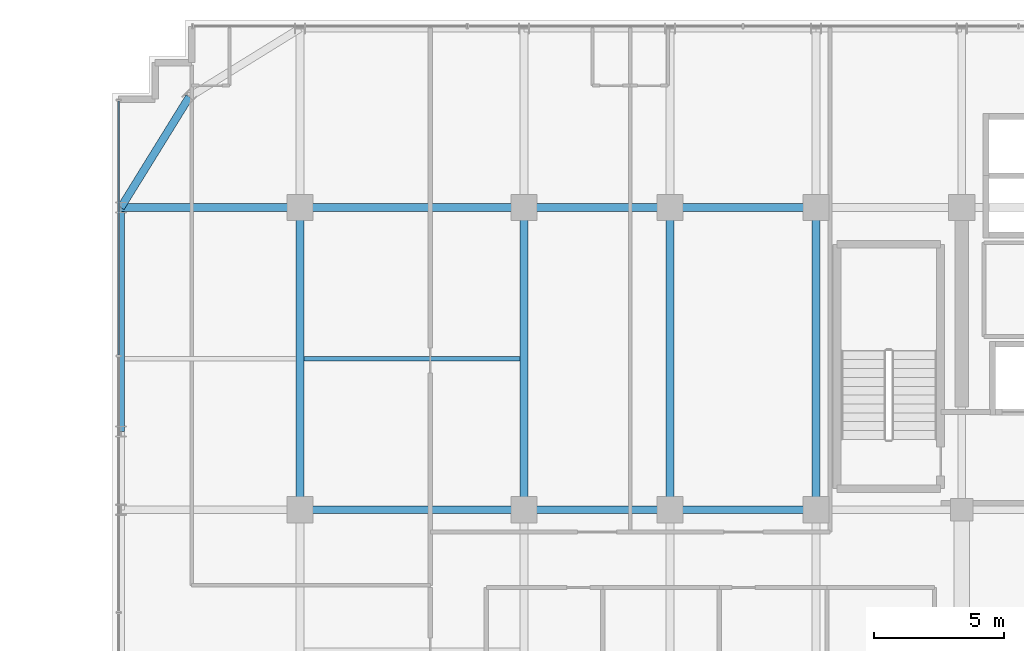
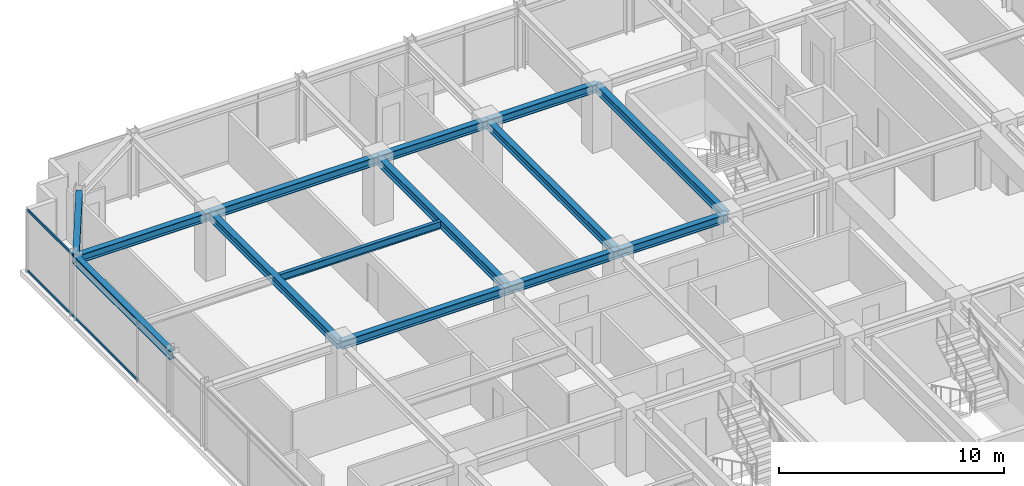
# One storey, part 19 of 35: 14 beams, 2 members, 1 element without a shape of its own.
"""IFC4 building model written with IfcOpenShell, lengths in metres."""

from ifc_helpers import new_model, si_unit, direction, frame, origin, origin_2d, place, context, subcontext, project, spatial, hollow_rectangle, i_section, extrude, source, transform, mapped, material, material_profile, profile_set, type_object, element, aggregate, save


model = new_model("IFC4")

# Units and contexts
model_context = context("Model", 3, precision=1e-05, world=origin(), true_north=direction((0.0, 1.0)))
body_context = subcontext(model_context, "Body", "Model", "MODEL_VIEW")
ifc_project = project(units=[si_unit("LENGTHUNIT", "METRE"), si_unit("AREAUNIT", "SQUARE_METRE"), si_unit("VOLUMEUNIT", "CUBIC_METRE"), si_unit("PLANEANGLEUNIT", "RADIAN"), si_unit("MASSUNIT", "GRAM", prefix="KILO")], contexts=[model_context])

# Site, building, storey
site_placement = place(None, origin())
site = spatial("IfcSite", under=ifc_project, at=site_placement, CompositionType="ELEMENT")
building_placement = place(site_placement, origin())
building = spatial("IfcBuilding", under=site, at=building_placement, Name="Nahalor Promenade Grand Hotel", CompositionType="ELEMENT")
storey_placement = place(building_placement, frame((0.0, 0.0, 216.0)))
storey = spatial("IfcBuildingStorey", under=building, at=storey_placement, Name="L55", CompositionType="ELEMENT", Elevation=216.0)

# Beams
ifc_material_1 = material(Name="Steel S355JR", Category="steel")
ifc_material_profile_1 = material_profile(ifc_material_1, i_section(OverallWidth=0.3, OverallDepth=0.45, WebThickness=0.014, FlangeThickness=0.026, at=origin_2d()), Name="HEB 450")
ifc_profile_set_1 = profile_set([ifc_material_profile_1], Name="Steel S355JR")
beam_type_1 = type_object("IfcBeamType", Name="Beam-Spandrel-HEB450", PredefinedType="SPANDREL", material=ifc_profile_set_1)
shared_shape_1 = source(origin(), body_context, "Body", "SweptSolid", [
    extrude(i_section(OverallWidth=0.3, OverallDepth=0.45, WebThickness=0.014, FlangeThickness=0.026, at=origin_2d()), origin(), (0.0, 0.0, 1.0), 8.60009765625),
])
beam_1_placement = place(storey_placement, frame((-23.8798828125, 8.39990234375, 3.18505859375), z_axis=(0.0, 1.0, 0.0), x_axis=(-1.0, 0.0, 0.0)))
element("IfcBeam", 1, at=beam_1_placement, inside=storey, type_object=beam_type_1, Name="BM-L55-SP-W-4", PredefinedType="SPANDREL", context=body_context, shape_type="MappedRepresentation", body=[
    mapped(shared_shape_1, transform((0.0, 0.0, 0.0), scale=1.0)),
])
shared_shape_2 = source(origin(), body_context, "Body", "SweptSolid", [
    extrude(i_section(OverallWidth=0.3, OverallDepth=0.45, WebThickness=0.014, FlangeThickness=0.026, at=origin_2d()), origin(), (0.0, 0.0, 1.0), 4.997802734375),
])
beam_2_placement = place(storey_placement, frame((-21.25, 21.25, 3.18505859375), z_axis=(-0.526199891161, -0.850360908404, 0.0), x_axis=(0.850360908404, -0.526199891161, 0.0)))
element("IfcBeam", 2, at=beam_2_placement, inside=storey, type_object=beam_type_1, Name="BM-L55-SPC-NW-2", PredefinedType="SPANDREL", context=body_context, shape_type="MappedRepresentation", body=[
    mapped(shared_shape_2, transform((0.0, 0.0, 0.0), scale=1.0)),
])
ifc_material_profile_2 = material_profile(ifc_material_1, i_section(OverallWidth=0.3, OverallDepth=0.45, WebThickness=0.014, FlangeThickness=0.026, at=origin_2d()), Name="HEB 450")
ifc_profile_set_2 = profile_set([ifc_material_profile_2], Name="Steel S355JR")
beam_type_2 = type_object("IfcBeamType", Name="Beam-Girder-HEB450", PredefinedType="BEAM", material=ifc_profile_set_2)
shared_shape_3 = source(origin(), body_context, "Body", "SweptSolid", [
    extrude(i_section(OverallWidth=0.3, OverallDepth=0.45, WebThickness=0.014, FlangeThickness=0.026, at=origin_2d()), origin(), (0.0, 0.0, 1.0), 6.8798828125),
])
beam_3_placement = place(storey_placement, frame((-23.8798828125, 17.0, 3.18505859375), z_axis=(1.0, 0.0, 0.0), x_axis=(0.0, 1.0, 0.0)))
element("IfcBeam", 3, at=beam_3_placement, inside=storey, type_object=beam_type_2, Name="BM-L55-GX-3-0", PredefinedType="BEAM", context=body_context, shape_type="MappedRepresentation", body=[
    mapped(shared_shape_3, transform((0.0, 0.0, 0.0), scale=1.0)),
])
shared_shape_4 = source(origin(), body_context, "Body", "SweptSolid", [
    extrude(i_section(OverallWidth=0.3, OverallDepth=0.45, WebThickness=0.014, FlangeThickness=0.026, at=origin_2d()), origin(), (0.0, 0.0, 1.0), 8.60009765625),
])
for number, where, z_axis, x_axis, name in (
    (4, (-17.0, 5.39990234375, 3.18505859375), (1.0, 0.0, 0.0), (0.0, 1.0, 0.0), "BM-L55-GX-2-1"),
    (5, (-17.0, 17.0, 3.18505859375), (1.0, 0.0, 0.0), (0.0, 1.0, 0.0), "BM-L55-GX-3-1"),
):
    element("IfcBeam", number, at=place(storey_placement, frame(where, z_axis=z_axis, x_axis=x_axis)), inside=storey, type_object=beam_type_2, Name=name, PredefinedType="BEAM", context=body_context, shape_type="MappedRepresentation", body=[
        mapped(shared_shape_4, transform((0.0, 0.0, 0.0), scale=1.0)),
    ])
shared_shape_5 = source(origin(), body_context, "Body", "SweptSolid", [
    extrude(i_section(OverallWidth=0.3, OverallDepth=0.45, WebThickness=0.014, FlangeThickness=0.026, at=origin_2d()), origin(), (0.0, 0.0, 1.0), 5.599853515625),
])
for number, where, z_axis, x_axis, name in (
    (6, (-8.39990234375, 5.39990234375, 3.18505859375), (1.0, 0.0, 0.0), (0.0, 1.0, 0.0), "BM-L55-GX-2-2"),
    (7, (-8.39990234375, 17.0, 3.18505859375), (1.0, 0.0, 0.0), (0.0, 1.0, 0.0), "BM-L55-GX-3-2"),
):
    element("IfcBeam", number, at=place(storey_placement, frame(where, z_axis=z_axis, x_axis=x_axis)), inside=storey, type_object=beam_type_2, Name=name, PredefinedType="BEAM", context=body_context, shape_type="MappedRepresentation", body=[
        mapped(shared_shape_5, transform((0.0, 0.0, 0.0), scale=1.0)),
    ])
shared_shape_6 = source(origin(), body_context, "Body", "SweptSolid", [
    extrude(i_section(OverallWidth=0.3, OverallDepth=0.45, WebThickness=0.014, FlangeThickness=0.026, at=origin_2d()), origin(), (0.0, 0.0, 1.0), 5.60009765625),
])
for number, where, z_axis, x_axis, name in (
    (8, (-2.800048828125, 5.39990234375, 3.18505859375), (1.0, 0.0, 0.0), (0.0, 1.0, 0.0), "BM-L55-GX-2-3"),
    (9, (-2.800048828125, 17.0, 3.18505859375), (1.0, 0.0, 0.0), (0.0, 1.0, 0.0), "BM-L55-GX-3-3"),
):
    element("IfcBeam", number, at=place(storey_placement, frame(where, z_axis=z_axis, x_axis=x_axis)), inside=storey, type_object=beam_type_2, Name=name, PredefinedType="BEAM", context=body_context, shape_type="MappedRepresentation", body=[
        mapped(shared_shape_6, transform((0.0, 0.0, 0.0), scale=1.0)),
    ])
shared_shape_7 = source(origin(), body_context, "Body", "SweptSolid", [
    extrude(i_section(OverallWidth=0.3, OverallDepth=0.45, WebThickness=0.014, FlangeThickness=0.026, at=origin_2d()), origin(), (0.0, 0.0, 1.0), 11.60009765625),
])
for number, where, z_axis, x_axis, name in (
    (10, (-17.0, 5.39990234375, 3.18505859375), (0.0, 1.0, 0.0), (-1.0, 0.0, 0.0), "BM-L55-GY-0-3"),
    (11, (-8.39990234375, 5.39990234375, 3.18505859375), (0.0, 1.0, 0.0), (-1.0, 0.0, 0.0), "BM-L55-GY-1-3"),
    (12, (-2.800048828125, 5.39990234375, 3.18505859375), (0.0, 1.0, 0.0), (-1.0, 0.0, 0.0), "BM-L55-GY-2-3"),
    (13, (2.800048828125, 5.39990234375, 3.18505859375), (0.0, 1.0, 0.0), (-1.0, 0.0, 0.0), "BM-L55-GY-3-3"),
):
    element("IfcBeam", number, at=place(storey_placement, frame(where, z_axis=z_axis, x_axis=x_axis)), inside=storey, type_object=beam_type_2, Name=name, PredefinedType="BEAM", context=body_context, shape_type="MappedRepresentation", body=[
        mapped(shared_shape_7, transform((0.0, 0.0, 0.0), scale=1.0)),
    ])
ifc_material_profile_3 = material_profile(ifc_material_1, i_section(OverallWidth=0.18, OverallDepth=0.4, WebThickness=0.0086, FlangeThickness=0.0135, at=origin_2d()), Name="IPE 400")
ifc_profile_set_3 = profile_set([ifc_material_profile_3], Name="Steel S355JR")
beam_type_3 = type_object("IfcBeamType", Name="Beam-Joist-IPE400", PredefinedType="JOIST", material=ifc_profile_set_3)
shared_shape_8 = source(origin(), body_context, "Body", "SweptSolid", [
    extrude(i_section(OverallWidth=0.18, OverallDepth=0.4, WebThickness=0.0086, FlangeThickness=0.0135, at=origin_2d()), origin(), (0.0, 0.0, 1.0), 8.300048828125),
])
beam_4_placement = place(storey_placement, frame((-16.85009765625, 11.199951171875, 3.2099609375), z_axis=(1.0, 0.0, 0.0), x_axis=(0.0, 1.0, 0.0)))
element("IfcBeam", 14, at=beam_4_placement, inside=storey, type_object=beam_type_3, Name="BM-L55-JSW-1-1", PredefinedType="JOIST", context=body_context, shape_type="MappedRepresentation", body=[
    mapped(shared_shape_8, transform((0.0, 0.0, 0.0), scale=1.0)),
])

# Curtain wall, members
ifc_material_2 = material(Name="Anodised Bronze Aluminium EN AW-6063 T6", Category="aluminium")
curtain_wall_type = type_object("IfcCurtainWallType", Name="CW2 Typical Hotel Flush Bronze Unitised Curtain Wall", PredefinedType="USERDEFINED", material=ifc_material_2)
curtain_wall_placement = place(storey_placement, origin())
curtain_wall = element("IfcCurtainWall", 15, at=curtain_wall_placement, inside=storey, type_object=curtain_wall_type, Name="L55 Curtain Wall CW-L55-W-3", ObjectType="UNITISED_CURTAIN_WALL", PredefinedType="USERDEFINED")
ifc_material_profile_4 = material_profile(ifc_material_2, hollow_rectangle(XDim=0.065, YDim=0.13, WallThickness=0.004, at=origin_2d()), Name="CWT 65x130x4")
ifc_profile_set_4 = profile_set([ifc_material_profile_4], Name="Anodised Bronze Aluminium EN AW-6063 T6")
member_type = type_object("IfcMemberType", Name="CWT2 Typical Bronze Transom 65x130", PredefinedType="USERDEFINED", material=ifc_profile_set_4)
shared_shape_9 = source(origin(), body_context, "Body", "SweptSolid", [
    extrude(hollow_rectangle(XDim=0.065, YDim=0.13, WallThickness=0.004, at=origin_2d()), origin(), (0.0, 0.0, 1.0), 9.755859375),
])
member_1_placement = place(storey_placement, frame((-23.9599609375, 11.339111328125, 0.06494140625), z_axis=(0.0, 1.0, 0.0), x_axis=(-1.0, 0.0, 0.0)))
member_1 = element("IfcMember", 16, at=member_1_placement, type_object=member_type, Name="CW-L55-W-3 Transom 2-0", ObjectType="TRANSOM", PredefinedType="USERDEFINED", context=body_context, shape_type="MappedRepresentation", body=[
    mapped(shared_shape_9, transform((0.0, 0.0, 0.0), scale=1.0)),
])
member_2_placement = place(storey_placement, frame((-23.9599609375, 11.339111328125, 3.344970703125), z_axis=(0.0, 1.0, 0.0), x_axis=(-1.0, 0.0, 0.0)))
member_2 = element("IfcMember", 17, at=member_2_placement, type_object=member_type, Name="CW-L55-W-3 Transom 2-1", ObjectType="TRANSOM", PredefinedType="USERDEFINED", context=body_context, shape_type="MappedRepresentation", body=[
    mapped(shared_shape_9, transform((0.0, 0.0, 0.0), scale=1.0)),
])
aggregate(curtain_wall, [member_1, member_2])

save(model, "model.ifc")
